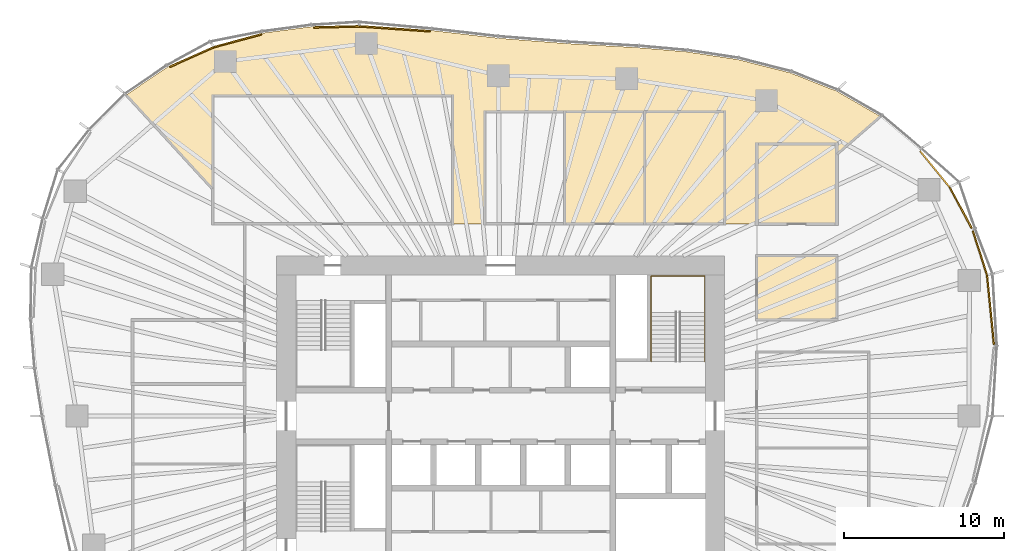
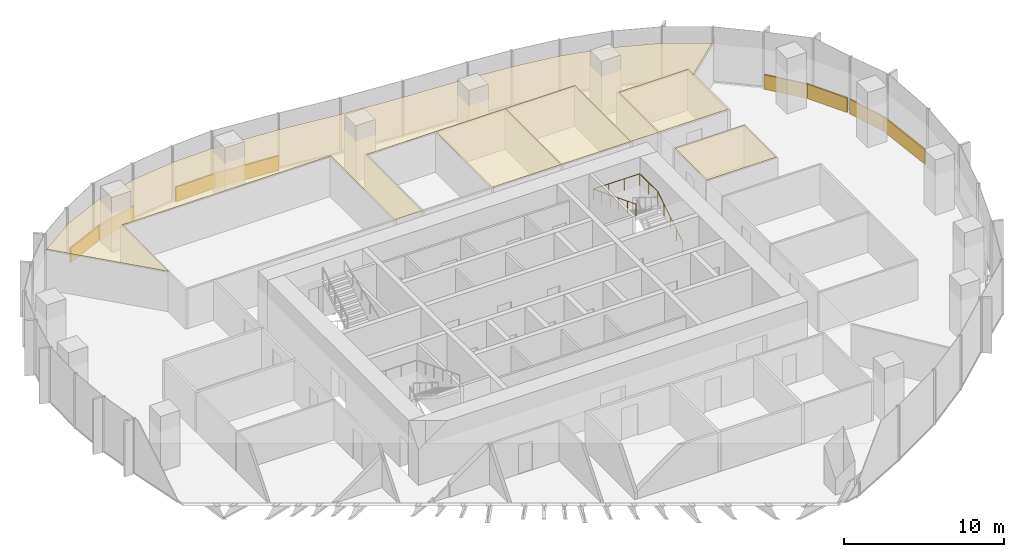
# One storey, part 18 of 18: 13 coverings, 1 railing.
"""IFC4 building model written with IfcOpenShell, lengths in metres."""

from ifc_helpers import new_model, si_unit, direction, frame, origin, origin_2d, place, context, subcontext, project, spatial, polyline, rectangle, circle, outline, extrude, material, layer, layer_set, type_object, element, save


model = new_model("IFC4")

# Units and contexts
model_context = context("Model", 3, precision=1e-05, world=origin(), true_north=direction((0.0, 1.0)))
body_context = subcontext(model_context, "Body", "Model", "MODEL_VIEW")
ifc_project = project(units=[si_unit("LENGTHUNIT", "METRE"), si_unit("AREAUNIT", "SQUARE_METRE"), si_unit("VOLUMEUNIT", "CUBIC_METRE"), si_unit("PLANEANGLEUNIT", "RADIAN"), si_unit("MASSUNIT", "GRAM", prefix="KILO")], contexts=[model_context])

# Site, building, storey
site_placement = place(None, origin())
site = spatial("IfcSite", under=ifc_project, at=site_placement, CompositionType="ELEMENT")
building_placement = place(site_placement, origin())
building = spatial("IfcBuilding", under=site, at=building_placement, Name="Ghaith Harvest Tower", CompositionType="ELEMENT")
storey_placement = place(building_placement, frame((0.0, 0.0, 151.199951171875)))
storey = spatial("IfcBuildingStorey", under=building, at=storey_placement, Name="L32", CompositionType="ELEMENT", Elevation=151.199951171875)

# Coverings
ifc_material_1 = material(Name="Mineral fibre ceiling tile", Category="gypsum")
ifc_layer_1 = layer(ifc_material_1, 0.02001953125)
ifc_layer_set_1 = layer_set([ifc_layer_1], Name="CEILING C1")
covering_type_1 = type_object("IfcCoveringType", Name="CEILING C1", PredefinedType="CEILING", material=ifc_layer_set_1)
covering_1_placement = place(storey_placement, frame((0.0, 0.0, 3.0)))
element("IfcCovering", 1, at=covering_1_placement, inside=storey, type_object=covering_type_1, Name="Ceiling L32-03", PredefinedType="CEILING", context=body_context, shape_type="SweptSolid", body=[
    extrude(outline(polyline([(4.0, 12.0), (9.0, 12.0), (9.0, 19.0), (4.0, 19.0), (4.0, 12.0)])), origin(), (0.0, 0.0, 1.0), 0.02001953125),
])
covering_2_placement = place(storey_placement, frame((0.0, 0.0, 3.0)))
element("IfcCovering", 2, at=covering_2_placement, inside=storey, type_object=covering_type_1, Name="Ceiling L32-04", PredefinedType="CEILING", context=body_context, shape_type="SweptSolid", body=[
    extrude(outline(polyline([(9.0, 12.0), (14.0, 12.0), (14.0, 19.0), (9.0, 19.0), (9.0, 12.0)])), origin(), (0.0, 0.0, 1.0), 0.02001953125),
])
covering_3_placement = place(storey_placement, frame((0.0, 0.0, 3.0)))
element("IfcCovering", 3, at=covering_3_placement, inside=storey, type_object=covering_type_1, Name="Ceiling L32-15", PredefinedType="CEILING", context=body_context, shape_type="SweptSolid", body=[
    extrude(outline(polyline([(16.0, 12.0), (21.0, 12.0), (21.0, 17.0), (16.0, 17.0), (16.0, 12.0)])), origin(), (0.0, 0.0, 1.0), 0.02001953125),
])
covering_4_placement = place(storey_placement, frame((0.0, 0.0, 3.0)))
element("IfcCovering", 4, at=covering_4_placement, inside=storey, type_object=covering_type_1, Name="Ceiling L32-16", PredefinedType="CEILING", context=body_context, shape_type="SweptSolid", body=[
    extrude(outline(polyline([(16.0, 6.0), (21.0, 6.0), (21.0, 10.0), (16.0, 10.0), (16.0, 6.0)])), origin(), (0.0, 0.0, 1.0), 0.02001953125),
])
covering_5_placement = place(storey_placement, frame((0.0, 0.0, 3.0)))
element("IfcCovering", 5, at=covering_5_placement, inside=storey, type_object=covering_type_1, Name="Ceiling L32-N1", PredefinedType="CEILING", context=body_context, shape_type="SweptSolid", body=[
    extrude(outline(polyline([(-20.79248046875, 21.82470703125), (-17.938232421875, 23.097412109375), (-14.860595703125, 23.927978515625), (-11.788818359375, 24.331787109375), (-8.814208984375, 24.404541015625), (-4.302001953125, 24.089111328125), (-0.16162109375, 23.609619140625), (4.125732421875, 23.272705078125), (8.604736328125, 23.017333984375), (11.617919921875, 22.757080078125), (14.79833984375, 22.27978515625), (18.0849609375, 21.4462890625), (20.97998046875, 20.3056640625), (23.7275390625, 18.718017578125), (21.0, 16.3466796875), (21.0, 17.0), (16.0, 17.0), (16.0, 12.0), (14.0, 12.0), (14.0, 19.0), (-1.0, 19.0), (-1.0, 12.0), (-3.0, 12.0), (-3.0, 20.0), (-18.0, 20.0), (-18.0, 14.17919921875), (-23.398193359375, 20.06103515625), (-20.79248046875, 21.82470703125)])), origin(), (0.0, 0.0, 1.0), 0.02001953125),
])

# Railing
ifc_material_2 = material(Name="Steel, black powder-coated", Category="steel")
railing_type = type_object("IfcRailingType", Name="HANDRAIL HR1", PredefinedType="HANDRAIL", material=ifc_material_2)
railing_placement = place(storey_placement, frame((12.75, 3.39990234375, 0.175048828125)))
element("IfcRailing", 6, at=railing_placement, inside=storey, type_object=railing_type, Name="Handrail HR1 stair ST2 L32 wall side", PredefinedType="HANDRAIL", context=body_context, shape_type="SweptSolid", body=[
    extrude(circle(Radius=0.02392578125, at=origin_2d()), frame((0.0, 0.0, 0.8759765625), z_axis=(0.0, 0.847998304005, 0.529998940003), x_axis=(-1.0, 0.0, 0.0)), (0.0, 0.0, 1.0), 3.632080078125),
    extrude(circle(Radius=0.02392578125, at=origin_2d()), frame((0.0, 3.080078125, 2.80078125), z_axis=(0.0, 1.0, 0.0), x_axis=(-1.0, 0.0, 0.0)), (0.0, 0.0, 1.0), 2.27001953125),
    extrude(circle(Radius=0.02392578125, at=origin_2d()), frame((0.0, 5.35009765625, 2.80078125), z_axis=(-1.0, 0.0, 0.0), x_axis=(0.0, -1.0, 0.0)), (0.0, 0.0, 1.0), 3.35009765625),
    extrude(circle(Radius=0.02392578125, at=origin_2d()), frame((-3.35009765625, 5.35009765625, 2.80078125), z_axis=(0.0, -0.930868132128, 0.365355334692), x_axis=(1.0, 0.0, 0.0)), (0.0, 0.0, 1.0), 5.747314453125),
    extrude(circle(Radius=0.02099609375, at=origin_2d()), origin(), (0.0, 0.0, 1.0), 0.851806640625),
    extrude(circle(Radius=0.02099609375, at=origin_2d()), frame((0.0, 0.77001953125, 0.481201171875)), (0.0, 0.0, 1.0), 0.851806640625),
    extrude(circle(Radius=0.02099609375, at=origin_2d()), frame((0.0, 1.5400390625, 0.96240234375)), (0.0, 0.0, 1.0), 0.851806640625),
    extrude(circle(Radius=0.02099609375, at=origin_2d()), frame((0.0, 2.31005859375, 1.44384765625)), (0.0, 0.0, 1.0), 0.851806640625),
    extrude(circle(Radius=0.02099609375, at=origin_2d()), frame((0.0, 3.080078125, 1.925048828125)), (0.0, 0.0, 1.0), 0.851806640625),
    extrude(circle(Radius=0.02099609375, at=origin_2d()), frame((0.0, 4.215087890625, 1.925048828125)), (0.0, 0.0, 1.0), 0.851806640625),
    extrude(circle(Radius=0.02099609375, at=origin_2d()), frame((0.0, 5.35009765625, 1.925048828125)), (0.0, 0.0, 1.0), 0.851806640625),
    extrude(circle(Radius=0.02099609375, at=origin_2d()), frame((-1.11669921875, 5.35009765625, 1.925048828125)), (0.0, 0.0, 1.0), 0.851806640625),
    extrude(circle(Radius=0.02099609375, at=origin_2d()), frame((-2.2333984375, 5.35009765625, 1.925048828125)), (0.0, 0.0, 1.0), 0.851806640625),
    extrude(circle(Radius=0.02099609375, at=origin_2d()), frame((-3.35009765625, 5.35009765625, 1.925048828125)), (0.0, 0.0, 1.0), 0.851806640625),
    extrude(circle(Radius=0.02099609375, at=origin_2d()), frame((-3.35009765625, 4.280029296875, 2.344970703125)), (0.0, 0.0, 1.0), 0.851806640625),
    extrude(circle(Radius=0.02099609375, at=origin_2d()), frame((-3.35009765625, 3.2099609375, 2.764892578125)), (0.0, 0.0, 1.0), 0.851806640625),
    extrude(circle(Radius=0.02099609375, at=origin_2d()), frame((-3.35009765625, 2.14013671875, 3.18505859375)), (0.0, 0.0, 1.0), 0.851806640625),
    extrude(circle(Radius=0.02099609375, at=origin_2d()), frame((-3.35009765625, 1.070068359375, 3.60498046875)), (0.0, 0.0, 1.0), 0.851806640625),
    extrude(circle(Radius=0.02099609375, at=origin_2d()), frame((-3.35009765625, 0.0, 4.02490234375)), (0.0, 0.0, 1.0), 0.851806640625),
])

# Coverings
ifc_material_3 = material(Name="Insulated aluminium spandrel panel on steel framing", Category="steel")
ifc_layer_2 = layer(ifc_material_3, 0.10009765625)
ifc_layer_set_2 = layer_set([ifc_layer_2], Name="SLAB EDGE UPSTAND 1100x100")
covering_type_2 = type_object("IfcCoveringType", Name="SLAB EDGE UPSTAND 1100x100", PredefinedType="CLADDING", material=ifc_layer_set_2)
covering_6_placement = place(storey_placement, frame((30.604736328125, 6.630126953125, 0.0), z_axis=(0.0, 0.0, 1.0), x_axis=(-0.099131765681, 0.995074315332, 0.0)))
element("IfcCovering", 7, at=covering_6_placement, inside=storey, type_object=covering_type_2, Name="Slab edge upstand 2 bay 01 L32", PredefinedType="CLADDING", context=body_context, shape_type="SweptSolid", body=[
    extrude(rectangle(XDim=4.346435546875, YDim=0.10009765625, at=origin_2d()), origin(), (0.0, 0.0, 1.0), 1.10009765625),
])
covering_7_placement = place(storey_placement, frame((29.948486328125, 10.171875, 0.0), z_axis=(0.0, 0.0, 1.0), x_axis=(-0.303716894855, 0.952762324916, 0.0)))
element("IfcCovering", 8, at=covering_7_placement, inside=storey, type_object=covering_type_2, Name="Slab edge upstand 1 bay 02 L32", PredefinedType="CLADDING", context=body_context, shape_type="SweptSolid", body=[
    extrude(rectangle(XDim=2.916748046875, YDim=0.10009765625, at=origin_2d()), origin(), (0.0, 0.0, 1.0), 1.10009765625),
])
for number, where, z_axis, x_axis, name in (
    (9, (28.738037109375, 13.018798828125, 0.0), (0.0, 0.0, 1.0), (-0.475408661811, 0.87976508471, 0.0), "Slab edge upstand 2 bay 02 L32"),
    (10, (27.127197265625, 15.4228515625, 0.0), (0.0, 0.0, 1.0), (-0.632969558548, 0.774176683937, 0.0), "Slab edge upstand 3 bay 02 L32"),
):
    element("IfcCovering", number, at=place(storey_placement, frame(where, z_axis=z_axis, x_axis=x_axis)), inside=storey, type_object=covering_type_2, Name=name, PredefinedType="CLADDING", context=body_context, shape_type="SweptSolid", body=[
        extrude(rectangle(XDim=2.91650390625, YDim=0.10009765625, at=origin_2d()), origin(), (0.0, 0.0, 1.0), 1.10009765625),
    ])
covering_8_placement = place(storey_placement, frame((-6.611572265625, 24.200439453125, 0.0), z_axis=(0.0, 0.0, 1.0), x_axis=(-0.997566199698, 0.069725728542, 0.0)))
element("IfcCovering", 11, at=covering_8_placement, inside=storey, type_object=covering_type_2, Name="Slab edge upstand 2 bay 06 L32", PredefinedType="CLADDING", context=body_context, shape_type="SweptSolid", body=[
    extrude(rectangle(XDim=4.42333984375, YDim=0.10009765625, at=origin_2d()), origin(), (0.0, 0.0, 1.0), 1.10009765625),
])
covering_9_placement = place(storey_placement, frame((-10.25048828125, 24.3193359375, 0.0), z_axis=(0.0, 0.0, 1.0), x_axis=(-0.999700846757, -0.024458474865, 0.0)))
element("IfcCovering", 12, at=covering_9_placement, inside=storey, type_object=covering_type_2, Name="Slab edge upstand 1 bay 07 L32", PredefinedType="CLADDING", context=body_context, shape_type="SweptSolid", body=[
    extrude(rectangle(XDim=2.87548828125, YDim=0.10009765625, at=origin_2d()), origin(), (0.0, 0.0, 1.0), 1.10009765625),
])
covering_10_placement = place(storey_placement, frame((-16.4345703125, 23.451416015625, 0.0), z_axis=(0.0, 0.0, 1.0), x_axis=(-0.965455035926, -0.260569709685, 0.0)))
element("IfcCovering", 13, at=covering_10_placement, inside=storey, type_object=covering_type_2, Name="Slab edge upstand 3 bay 07 L32", PredefinedType="CLADDING", context=body_context, shape_type="SweptSolid", body=[
    extrude(rectangle(XDim=3.087890625, YDim=0.10009765625, at=origin_2d()), origin(), (0.0, 0.0, 1.0), 1.10009765625),
])
covering_11_placement = place(storey_placement, frame((-19.29931640625, 22.435791015625, 0.0), z_axis=(0.0, 0.0, 1.0), x_axis=(-0.913334621001, -0.40720986, 0.0)))
element("IfcCovering", 14, at=covering_11_placement, inside=storey, type_object=covering_type_2, Name="Slab edge upstand 1 bay 08 L32", PredefinedType="CLADDING", context=body_context, shape_type="SweptSolid", body=[
    extrude(rectangle(XDim=3.025146484375, YDim=0.10009765625, at=origin_2d()), origin(), (0.0, 0.0, 1.0), 1.10009765625),
])

save(model, "model.ifc")
